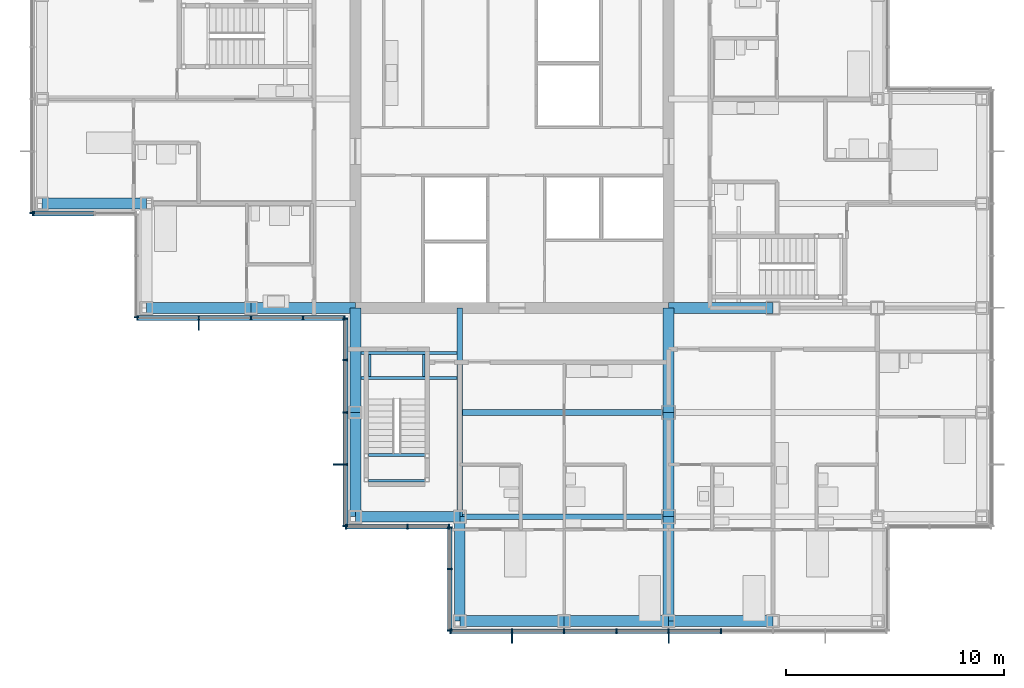
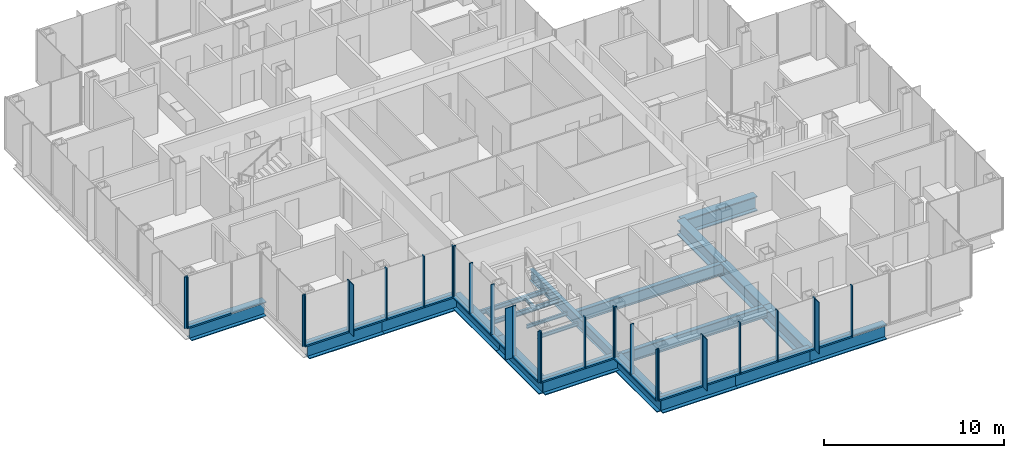
# One storey, part 6 of 20: 47 members, 23 beams, 8 elements without a shape of their own.
"""IFC4 building model written with IfcOpenShell, lengths in metres."""

from ifc_helpers import new_model, si_unit, direction, frame, origin, origin_2d, place, context, subcontext, project, spatial, rectangle, i_section, extrude, material, material_profile, profile_set, type_object, element, aggregate, save


model = new_model("IFC4")

# Units and contexts
model_context = context("Model", 3, precision=1e-05, world=origin(), true_north=direction((0.0, 1.0)))
body_context = subcontext(model_context, "Body", "Model", "MODEL_VIEW")
ifc_project = project(units=[si_unit("LENGTHUNIT", "METRE"), si_unit("AREAUNIT", "SQUARE_METRE"), si_unit("VOLUMEUNIT", "CUBIC_METRE"), si_unit("PLANEANGLEUNIT", "RADIAN"), si_unit("MASSUNIT", "GRAM", prefix="KILO")], contexts=[model_context])

# Site, building, storey
site_placement = place(None, origin())
site = spatial("IfcSite", under=ifc_project, at=site_placement, CompositionType="ELEMENT")
building_placement = place(site_placement, origin())
building = spatial("IfcBuilding", under=site, at=building_placement, Name="Kvirike Care Tower", CompositionType="ELEMENT")
storey_placement = place(building_placement, frame((0.0, 0.0, 122.5)))
storey = spatial("IfcBuildingStorey", under=building, at=storey_placement, Name="L33", CompositionType="ELEMENT", Elevation=122.5)

# Curtain wall, member
ifc_material_1 = material(Name="Anodised aluminium stick system", Category="aluminium")
curtain_wall_type = type_object("IfcCurtainWallType", Name="CW-B STICK CURTAIN WALL", PredefinedType="NOTDEFINED", material=ifc_material_1)
curtain_wall_1_placement = place(storey_placement, origin())
curtain_wall_1 = element("IfcCurtainWall", 1, at=curtain_wall_1_placement, inside=storey, type_object=curtain_wall_type, Name="Curtain wall L33 face 14", PredefinedType="NOTDEFINED")
ifc_material_2 = material(Name="Bronze anodised aluminium fin", Category="aluminium")
ifc_material_profile_1 = material_profile(ifc_material_2, rectangle(XDim=0.050048828125, YDim=0.449951171875, at=origin_2d()), Name="BRONZE FIN 450")
ifc_profile_set_1 = profile_set([ifc_material_profile_1], Name="Bronze anodised aluminium fin")
member_type_1 = type_object("IfcMemberType", Name="BRONZE FIN 450", PredefinedType="USERDEFINED", material=ifc_profile_set_1)
member_1_placement = place(storey_placement, frame((7.199951171875, 28.0048828125, 0.0), z_axis=(0.0, 0.0, 1.0), x_axis=(1.0, 0.0, 0.0)))
member_1 = element("IfcMember", 2, at=member_1_placement, type_object=member_type_1, Name="Bronze fin L33 face 14.2", ObjectType="FIN", PredefinedType="USERDEFINED", context=body_context, shape_type="SweptSolid", body=[
    extrude(rectangle(XDim=0.050048828125, YDim=0.449951171875, at=origin_2d()), origin(), (0.0, 0.0, 1.0), 3.5),
])

curtain_wall_2_placement = place(storey_placement, origin())
curtain_wall_2 = element("IfcCurtainWall", 3, at=curtain_wall_2_placement, inside=storey, type_object=curtain_wall_type, Name="Curtain wall L33 face 15", PredefinedType="NOTDEFINED")
member_2_placement = place(storey_placement, frame((13.60498046875, 21.60009765625, 0.0), z_axis=(0.0, 0.0, 1.0), x_axis=(0.0, -1.0, 0.0)))
member_2 = element("IfcMember", 4, at=member_2_placement, type_object=member_type_1, Name="Bronze fin L33 face 15.4", ObjectType="FIN", PredefinedType="USERDEFINED", context=body_context, shape_type="SweptSolid", body=[
    extrude(rectangle(XDim=0.050048828125, YDim=0.449951171875, at=origin_2d()), origin(), (0.0, 0.0, 1.0), 3.5),
])

# Curtain wall, members
curtain_wall_3_placement = place(storey_placement, origin())
curtain_wall_3 = element("IfcCurtainWall", 5, at=curtain_wall_3_placement, inside=storey, type_object=curtain_wall_type, Name="Curtain wall L33 face 18", PredefinedType="NOTDEFINED")
member_3_placement = place(storey_placement, frame((21.60009765625, 13.60498046875, 0.0), z_axis=(0.0, 0.0, 1.0), x_axis=(1.0, 0.0, 0.0)))
member_3 = element("IfcMember", 6, at=member_3_placement, type_object=member_type_1, Name="Bronze fin L33 face 18.2", ObjectType="FIN", PredefinedType="USERDEFINED", context=body_context, shape_type="SweptSolid", body=[
    extrude(rectangle(XDim=0.050048828125, YDim=0.449951171875, at=origin_2d()), origin(), (0.0, 0.0, 1.0), 3.5),
])
member_4_placement = place(storey_placement, frame((28.800048828125, 13.60498046875, 0.0), z_axis=(0.0, 0.0, 1.0), x_axis=(1.0, 0.0, 0.0)))
member_4 = element("IfcMember", 7, at=member_4_placement, type_object=member_type_1, Name="Bronze fin L33 face 18.5", ObjectType="FIN", PredefinedType="USERDEFINED", context=body_context, shape_type="SweptSolid", body=[
    extrude(rectangle(XDim=0.050048828125, YDim=0.449951171875, at=origin_2d()), origin(), (0.0, 0.0, 1.0), 3.5),
])

# Curtain wall, member
curtain_wall_4_placement = place(storey_placement, origin())
curtain_wall_4 = element("IfcCurtainWall", 8, at=curtain_wall_4_placement, inside=storey, type_object=curtain_wall_type, Name="Curtain wall L33 face 11", PredefinedType="NOTDEFINED")
ifc_material_3 = material(Name="Bronze anodised aluminium mullion", Category="aluminium")
ifc_material_profile_2 = material_profile(ifc_material_3, rectangle(XDim=0.06494140625, YDim=0.219970703125, at=origin_2d()), Name="CW-B MULLION 65x220")
ifc_profile_set_2 = profile_set([ifc_material_profile_2], Name="Bronze anodised aluminium mullion")
member_type_2 = type_object("IfcMemberType", Name="CW-B MULLION 65x220", PredefinedType="MULLION", material=ifc_profile_set_2)
member_5_placement = place(storey_placement, frame((-0.4599609375, 33.172607421875, 0.0), z_axis=(0.0, 0.0, 1.0), x_axis=(0.0, -1.0, 0.0)))
member_5 = element("IfcMember", 9, at=member_5_placement, type_object=member_type_2, Name="CW-B mullion L33 face 11.9", PredefinedType="MULLION", context=body_context, shape_type="SweptSolid", body=[
    extrude(rectangle(XDim=0.06494140625, YDim=0.219970703125, at=origin_2d()), origin(), (0.0, 0.0, 1.0), 3.5),
])
aggregate(curtain_wall_4, [member_5])

curtain_wall_5_placement = place(storey_placement, origin())
curtain_wall_5 = element("IfcCurtainWall", 10, at=curtain_wall_5_placement, inside=storey, type_object=curtain_wall_type, Name="Curtain wall L33 face 12", PredefinedType="NOTDEFINED")
member_6_placement = place(storey_placement, frame((-0.427490234375, 33.139892578125, 0.0), z_axis=(0.0, 0.0, 1.0), x_axis=(1.0, 0.0, 0.0)))
member_6 = element("IfcMember", 11, at=member_6_placement, type_object=member_type_2, Name="CW-B mullion L33 face 12.1", PredefinedType="MULLION", context=body_context, shape_type="SweptSolid", body=[
    extrude(rectangle(XDim=0.06494140625, YDim=0.219970703125, at=origin_2d()), origin(), (0.0, 0.0, 1.0), 3.5),
])

curtain_wall_6_placement = place(storey_placement, origin())
curtain_wall_6 = element("IfcCurtainWall", 12, at=curtain_wall_6_placement, inside=storey, type_object=curtain_wall_type, Name="Curtain wall L33 face 13", PredefinedType="NOTDEFINED")
member_7_placement = place(storey_placement, frame((4.340087890625, 28.37255859375, 0.0), z_axis=(0.0, 0.0, 1.0), x_axis=(0.0, -1.0, 0.0)))
member_7 = element("IfcMember", 13, at=member_7_placement, type_object=member_type_2, Name="CW-B mullion L33 face 13.3", PredefinedType="MULLION", context=body_context, shape_type="SweptSolid", body=[
    extrude(rectangle(XDim=0.06494140625, YDim=0.219970703125, at=origin_2d()), origin(), (0.0, 0.0, 1.0), 3.5),
])
aggregate(curtain_wall_6, [member_7])

# Member
member_8_placement = place(storey_placement, frame((4.37255859375, 28.340087890625, 0.0), z_axis=(0.0, 0.0, 1.0), x_axis=(1.0, 0.0, 0.0)))
member_8 = element("IfcMember", 14, at=member_8_placement, type_object=member_type_2, Name="CW-B mullion L33 face 14.1", PredefinedType="MULLION", context=body_context, shape_type="SweptSolid", body=[
    extrude(rectangle(XDim=0.06494140625, YDim=0.219970703125, at=origin_2d()), origin(), (0.0, 0.0, 1.0), 3.5),
])

member_9_placement = place(storey_placement, frame((7.199951171875, 28.340087890625, 0.0), z_axis=(0.0, 0.0, 1.0), x_axis=(1.0, 0.0, 0.0)))
member_9 = element("IfcMember", 15, at=member_9_placement, type_object=member_type_2, Name="CW-B mullion L33 face 14.2", PredefinedType="MULLION", context=body_context, shape_type="SweptSolid", body=[
    extrude(rectangle(XDim=0.06494140625, YDim=0.219970703125, at=origin_2d()), origin(), (0.0, 0.0, 1.0), 3.5),
])

member_10_placement = place(storey_placement, frame((9.60009765625, 28.340087890625, 0.0), z_axis=(0.0, 0.0, 1.0), x_axis=(1.0, 0.0, 0.0)))
member_10 = element("IfcMember", 16, at=member_10_placement, type_object=member_type_2, Name="CW-B mullion L33 face 14.3", PredefinedType="MULLION", context=body_context, shape_type="SweptSolid", body=[
    extrude(rectangle(XDim=0.06494140625, YDim=0.219970703125, at=origin_2d()), origin(), (0.0, 0.0, 1.0), 3.5),
])

member_11_placement = place(storey_placement, frame((12.0, 28.340087890625, 0.0), z_axis=(0.0, 0.0, 1.0), x_axis=(1.0, 0.0, 0.0)))
member_11 = element("IfcMember", 17, at=member_11_placement, type_object=member_type_2, Name="CW-B mullion L33 face 14.4", PredefinedType="MULLION", context=body_context, shape_type="SweptSolid", body=[
    extrude(rectangle(XDim=0.06494140625, YDim=0.219970703125, at=origin_2d()), origin(), (0.0, 0.0, 1.0), 3.5),
])

member_12_placement = place(storey_placement, frame((13.907470703125, 28.340087890625, 0.0), z_axis=(0.0, 0.0, 1.0), x_axis=(1.0, 0.0, 0.0)))
member_12 = element("IfcMember", 18, at=member_12_placement, type_object=member_type_2, Name="CW-B mullion L33 face 14.5", PredefinedType="MULLION", context=body_context, shape_type="SweptSolid", body=[
    extrude(rectangle(XDim=0.06494140625, YDim=0.219970703125, at=origin_2d()), origin(), (0.0, 0.0, 1.0), 3.5),
])

member_13_placement = place(storey_placement, frame((13.93994140625, 28.3076171875, 0.0), z_axis=(0.0, 0.0, 1.0), x_axis=(0.0, -1.0, 0.0)))
member_13 = element("IfcMember", 19, at=member_13_placement, type_object=member_type_2, Name="CW-B mullion L33 face 15.1", PredefinedType="MULLION", context=body_context, shape_type="SweptSolid", body=[
    extrude(rectangle(XDim=0.06494140625, YDim=0.219970703125, at=origin_2d()), origin(), (0.0, 0.0, 1.0), 3.5),
])

member_14_placement = place(storey_placement, frame((13.93994140625, 26.39990234375, 0.0), z_axis=(0.0, 0.0, 1.0), x_axis=(0.0, -1.0, 0.0)))
member_14 = element("IfcMember", 20, at=member_14_placement, type_object=member_type_2, Name="CW-B mullion L33 face 15.2", PredefinedType="MULLION", context=body_context, shape_type="SweptSolid", body=[
    extrude(rectangle(XDim=0.06494140625, YDim=0.219970703125, at=origin_2d()), origin(), (0.0, 0.0, 1.0), 3.5),
])

member_15_placement = place(storey_placement, frame((13.93994140625, 24.0, 0.0), z_axis=(0.0, 0.0, 1.0), x_axis=(0.0, -1.0, 0.0)))
member_15 = element("IfcMember", 21, at=member_15_placement, type_object=member_type_2, Name="CW-B mullion L33 face 15.3", PredefinedType="MULLION", context=body_context, shape_type="SweptSolid", body=[
    extrude(rectangle(XDim=0.06494140625, YDim=0.219970703125, at=origin_2d()), origin(), (0.0, 0.0, 1.0), 3.5),
])

member_16_placement = place(storey_placement, frame((13.93994140625, 21.60009765625, 0.0), z_axis=(0.0, 0.0, 1.0), x_axis=(0.0, -1.0, 0.0)))
member_16 = element("IfcMember", 22, at=member_16_placement, type_object=member_type_2, Name="CW-B mullion L33 face 15.4", PredefinedType="MULLION", context=body_context, shape_type="SweptSolid", body=[
    extrude(rectangle(XDim=0.06494140625, YDim=0.219970703125, at=origin_2d()), origin(), (0.0, 0.0, 1.0), 3.5),
])

member_17_placement = place(storey_placement, frame((13.93994140625, 18.7724609375, 0.0), z_axis=(0.0, 0.0, 1.0), x_axis=(0.0, -1.0, 0.0)))
member_17 = element("IfcMember", 23, at=member_17_placement, type_object=member_type_2, Name="CW-B mullion L33 face 15.5", PredefinedType="MULLION", context=body_context, shape_type="SweptSolid", body=[
    extrude(rectangle(XDim=0.06494140625, YDim=0.219970703125, at=origin_2d()), origin(), (0.0, 0.0, 1.0), 3.5),
])

# Curtain wall, members
curtain_wall_7_placement = place(storey_placement, origin())
curtain_wall_7 = element("IfcCurtainWall", 24, at=curtain_wall_7_placement, inside=storey, type_object=curtain_wall_type, Name="Curtain wall L33 face 16", PredefinedType="NOTDEFINED")
member_18_placement = place(storey_placement, frame((13.972412109375, 18.739990234375, 0.0), z_axis=(0.0, 0.0, 1.0), x_axis=(1.0, 0.0, 0.0)))
member_18 = element("IfcMember", 25, at=member_18_placement, type_object=member_type_2, Name="CW-B mullion L33 face 16.1", PredefinedType="MULLION", context=body_context, shape_type="SweptSolid", body=[
    extrude(rectangle(XDim=0.06494140625, YDim=0.219970703125, at=origin_2d()), origin(), (0.0, 0.0, 1.0), 3.5),
])
member_19_placement = place(storey_placement, frame((16.800048828125, 18.739990234375, 0.0), z_axis=(0.0, 0.0, 1.0), x_axis=(1.0, 0.0, 0.0)))
member_19 = element("IfcMember", 26, at=member_19_placement, type_object=member_type_2, Name="CW-B mullion L33 face 16.2", PredefinedType="MULLION", context=body_context, shape_type="SweptSolid", body=[
    extrude(rectangle(XDim=0.06494140625, YDim=0.219970703125, at=origin_2d()), origin(), (0.0, 0.0, 1.0), 3.5),
])
member_20_placement = place(storey_placement, frame((18.70751953125, 18.739990234375, 0.0), z_axis=(0.0, 0.0, 1.0), x_axis=(1.0, 0.0, 0.0)))
member_20 = element("IfcMember", 27, at=member_20_placement, type_object=member_type_2, Name="CW-B mullion L33 face 16.3", PredefinedType="MULLION", context=body_context, shape_type="SweptSolid", body=[
    extrude(rectangle(XDim=0.06494140625, YDim=0.219970703125, at=origin_2d()), origin(), (0.0, 0.0, 1.0), 3.5),
])

curtain_wall_8_placement = place(storey_placement, origin())
curtain_wall_8 = element("IfcCurtainWall", 28, at=curtain_wall_8_placement, inside=storey, type_object=curtain_wall_type, Name="Curtain wall L33 face 17", PredefinedType="NOTDEFINED")
member_21_placement = place(storey_placement, frame((18.739990234375, 18.70751953125, 0.0), z_axis=(0.0, 0.0, 1.0), x_axis=(0.0, -1.0, 0.0)))
member_21 = element("IfcMember", 29, at=member_21_placement, type_object=member_type_2, Name="CW-B mullion L33 face 17.1", PredefinedType="MULLION", context=body_context, shape_type="SweptSolid", body=[
    extrude(rectangle(XDim=0.06494140625, YDim=0.219970703125, at=origin_2d()), origin(), (0.0, 0.0, 1.0), 3.5),
])
member_22_placement = place(storey_placement, frame((18.739990234375, 16.800048828125, 0.0), z_axis=(0.0, 0.0, 1.0), x_axis=(0.0, -1.0, 0.0)))
member_22 = element("IfcMember", 30, at=member_22_placement, type_object=member_type_2, Name="CW-B mullion L33 face 17.2", PredefinedType="MULLION", context=body_context, shape_type="SweptSolid", body=[
    extrude(rectangle(XDim=0.06494140625, YDim=0.219970703125, at=origin_2d()), origin(), (0.0, 0.0, 1.0), 3.5),
])
member_23_placement = place(storey_placement, frame((18.739990234375, 13.972412109375, 0.0), z_axis=(0.0, 0.0, 1.0), x_axis=(0.0, -1.0, 0.0)))
member_23 = element("IfcMember", 31, at=member_23_placement, type_object=member_type_2, Name="CW-B mullion L33 face 17.3", PredefinedType="MULLION", context=body_context, shape_type="SweptSolid", body=[
    extrude(rectangle(XDim=0.06494140625, YDim=0.219970703125, at=origin_2d()), origin(), (0.0, 0.0, 1.0), 3.5),
])

# Member
member_24_placement = place(storey_placement, frame((18.7724609375, 13.93994140625, 0.0), z_axis=(0.0, 0.0, 1.0), x_axis=(1.0, 0.0, 0.0)))
member_24 = element("IfcMember", 32, at=member_24_placement, type_object=member_type_2, Name="CW-B mullion L33 face 18.1", PredefinedType="MULLION", context=body_context, shape_type="SweptSolid", body=[
    extrude(rectangle(XDim=0.06494140625, YDim=0.219970703125, at=origin_2d()), origin(), (0.0, 0.0, 1.0), 3.5),
])

member_25_placement = place(storey_placement, frame((21.60009765625, 13.93994140625, 0.0), z_axis=(0.0, 0.0, 1.0), x_axis=(1.0, 0.0, 0.0)))
member_25 = element("IfcMember", 33, at=member_25_placement, type_object=member_type_2, Name="CW-B mullion L33 face 18.2", PredefinedType="MULLION", context=body_context, shape_type="SweptSolid", body=[
    extrude(rectangle(XDim=0.06494140625, YDim=0.219970703125, at=origin_2d()), origin(), (0.0, 0.0, 1.0), 3.5),
])

member_26_placement = place(storey_placement, frame((24.0, 13.93994140625, 0.0), z_axis=(0.0, 0.0, 1.0), x_axis=(1.0, 0.0, 0.0)))
member_26 = element("IfcMember", 34, at=member_26_placement, type_object=member_type_2, Name="CW-B mullion L33 face 18.3", PredefinedType="MULLION", context=body_context, shape_type="SweptSolid", body=[
    extrude(rectangle(XDim=0.06494140625, YDim=0.219970703125, at=origin_2d()), origin(), (0.0, 0.0, 1.0), 3.5),
])

member_27_placement = place(storey_placement, frame((26.39990234375, 13.93994140625, 0.0), z_axis=(0.0, 0.0, 1.0), x_axis=(1.0, 0.0, 0.0)))
member_27 = element("IfcMember", 35, at=member_27_placement, type_object=member_type_2, Name="CW-B mullion L33 face 18.4", PredefinedType="MULLION", context=body_context, shape_type="SweptSolid", body=[
    extrude(rectangle(XDim=0.06494140625, YDim=0.219970703125, at=origin_2d()), origin(), (0.0, 0.0, 1.0), 3.5),
])

member_28_placement = place(storey_placement, frame((28.800048828125, 13.93994140625, 0.0), z_axis=(0.0, 0.0, 1.0), x_axis=(1.0, 0.0, 0.0)))
member_28 = element("IfcMember", 36, at=member_28_placement, type_object=member_type_2, Name="CW-B mullion L33 face 18.5", PredefinedType="MULLION", context=body_context, shape_type="SweptSolid", body=[
    extrude(rectangle(XDim=0.06494140625, YDim=0.219970703125, at=origin_2d()), origin(), (0.0, 0.0, 1.0), 3.5),
])

member_29_placement = place(storey_placement, frame((31.199951171875, 13.93994140625, 0.0), z_axis=(0.0, 0.0, 1.0), x_axis=(1.0, 0.0, 0.0)))
member_29 = element("IfcMember", 37, at=member_29_placement, type_object=member_type_2, Name="CW-B mullion L33 face 18.6", PredefinedType="MULLION", context=body_context, shape_type="SweptSolid", body=[
    extrude(rectangle(XDim=0.06494140625, YDim=0.219970703125, at=origin_2d()), origin(), (0.0, 0.0, 1.0), 3.5),
])

ifc_material_4 = material(Name="Bronze anodised aluminium transom", Category="aluminium")
ifc_material_profile_3 = material_profile(ifc_material_4, rectangle(XDim=0.219970703125, YDim=0.10009765625, at=origin_2d()), Name="CW-B TRANSOM 220x100")
ifc_profile_set_3 = profile_set([ifc_material_profile_3], Name="Bronze anodised aluminium transom")
member_type_3 = type_object("IfcMemberType", Name="CW-B TRANSOM 220x100", PredefinedType="USERDEFINED", material=ifc_profile_set_3)
member_30_placement = place(storey_placement, frame((-0.39501953125, 33.139892578125, 0.050048828125), z_axis=(1.0, 0.0, 0.0), x_axis=(0.0, 1.0, 0.0)))
member_30 = element("IfcMember", 38, at=member_30_placement, type_object=member_type_3, Name="CW-B sill transom L33 face 12.1", ObjectType="TRANSOM", PredefinedType="USERDEFINED", context=body_context, shape_type="SweptSolid", body=[
    extrude(rectangle(XDim=0.219970703125, YDim=0.10009765625, at=origin_2d()), origin(), (0.0, 0.0, 1.0), 2.762451171875),
])

aggregate(curtain_wall_5, [member_6, member_30])

member_31_placement = place(storey_placement, frame((4.405029296875, 28.340087890625, 0.050048828125), z_axis=(1.0, 0.0, 0.0), x_axis=(0.0, 1.0, 0.0)))
member_31 = element("IfcMember", 39, at=member_31_placement, type_object=member_type_3, Name="CW-B sill transom L33 face 14.1", ObjectType="TRANSOM", PredefinedType="USERDEFINED", context=body_context, shape_type="SweptSolid", body=[
    extrude(rectangle(XDim=0.219970703125, YDim=0.10009765625, at=origin_2d()), origin(), (0.0, 0.0, 1.0), 2.762451171875),
])

member_32_placement = place(storey_placement, frame((7.232421875, 28.340087890625, 0.050048828125), z_axis=(1.0, 0.0, 0.0), x_axis=(0.0, 1.0, 0.0)))
member_32 = element("IfcMember", 40, at=member_32_placement, type_object=member_type_3, Name="CW-B sill transom L33 face 14.2", ObjectType="TRANSOM", PredefinedType="USERDEFINED", context=body_context, shape_type="SweptSolid", body=[
    extrude(rectangle(XDim=0.219970703125, YDim=0.10009765625, at=origin_2d()), origin(), (0.0, 0.0, 1.0), 2.3349609375),
])

member_33_placement = place(storey_placement, frame((9.632568359375, 28.340087890625, 0.050048828125), z_axis=(1.0, 0.0, 0.0), x_axis=(0.0, 1.0, 0.0)))
member_33 = element("IfcMember", 41, at=member_33_placement, type_object=member_type_3, Name="CW-B sill transom L33 face 14.3", ObjectType="TRANSOM", PredefinedType="USERDEFINED", context=body_context, shape_type="SweptSolid", body=[
    extrude(rectangle(XDim=0.219970703125, YDim=0.10009765625, at=origin_2d()), origin(), (0.0, 0.0, 1.0), 2.3349609375),
])

member_34_placement = place(storey_placement, frame((12.032470703125, 28.340087890625, 0.050048828125), z_axis=(1.0, 0.0, 0.0), x_axis=(0.0, 1.0, 0.0)))
member_34 = element("IfcMember", 42, at=member_34_placement, type_object=member_type_3, Name="CW-B sill transom L33 face 14.4", ObjectType="TRANSOM", PredefinedType="USERDEFINED", context=body_context, shape_type="SweptSolid", body=[
    extrude(rectangle(XDim=0.219970703125, YDim=0.10009765625, at=origin_2d()), origin(), (0.0, 0.0, 1.0), 1.842529296875),
])

aggregate(curtain_wall_1, [member_8, member_9, member_1, member_10, member_11, member_12, member_31, member_32, member_33, member_34])

member_35_placement = place(storey_placement, frame((13.93994140625, 28.27490234375, 0.050048828125), z_axis=(0.0, -1.0, 0.0), x_axis=(1.0, 0.0, 0.0)))
member_35 = element("IfcMember", 43, at=member_35_placement, type_object=member_type_3, Name="CW-B sill transom L33 face 15.1", ObjectType="TRANSOM", PredefinedType="USERDEFINED", context=body_context, shape_type="SweptSolid", body=[
    extrude(rectangle(XDim=0.219970703125, YDim=0.10009765625, at=origin_2d()), origin(), (0.0, 0.0, 1.0), 1.84228515625),
])

member_36_placement = place(storey_placement, frame((13.93994140625, 26.367431640625, 0.050048828125), z_axis=(0.0, -1.0, 0.0), x_axis=(1.0, 0.0, 0.0)))
member_36 = element("IfcMember", 44, at=member_36_placement, type_object=member_type_3, Name="CW-B sill transom L33 face 15.2", ObjectType="TRANSOM", PredefinedType="USERDEFINED", context=body_context, shape_type="SweptSolid", body=[
    extrude(rectangle(XDim=0.219970703125, YDim=0.10009765625, at=origin_2d()), origin(), (0.0, 0.0, 1.0), 2.3349609375),
])

member_37_placement = place(storey_placement, frame((13.93994140625, 23.967529296875, 0.050048828125), z_axis=(0.0, -1.0, 0.0), x_axis=(1.0, 0.0, 0.0)))
member_37 = element("IfcMember", 45, at=member_37_placement, type_object=member_type_3, Name="CW-B sill transom L33 face 15.3", ObjectType="TRANSOM", PredefinedType="USERDEFINED", context=body_context, shape_type="SweptSolid", body=[
    extrude(rectangle(XDim=0.219970703125, YDim=0.10009765625, at=origin_2d()), origin(), (0.0, 0.0, 1.0), 2.3349609375),
])

member_38_placement = place(storey_placement, frame((13.93994140625, 21.5673828125, 0.050048828125), z_axis=(0.0, -1.0, 0.0), x_axis=(1.0, 0.0, 0.0)))
member_38 = element("IfcMember", 46, at=member_38_placement, type_object=member_type_3, Name="CW-B sill transom L33 face 15.4", ObjectType="TRANSOM", PredefinedType="USERDEFINED", context=body_context, shape_type="SweptSolid", body=[
    extrude(rectangle(XDim=0.219970703125, YDim=0.10009765625, at=origin_2d()), origin(), (0.0, 0.0, 1.0), 2.762451171875),
])

aggregate(curtain_wall_2, [member_13, member_14, member_15, member_16, member_2, member_17, member_35, member_36, member_37, member_38])

member_39_placement = place(storey_placement, frame((14.0048828125, 18.739990234375, 0.050048828125), z_axis=(1.0, 0.0, 0.0), x_axis=(0.0, 1.0, 0.0)))
member_39 = element("IfcMember", 47, at=member_39_placement, type_object=member_type_3, Name="CW-B sill transom L33 face 16.1", ObjectType="TRANSOM", PredefinedType="USERDEFINED", context=body_context, shape_type="SweptSolid", body=[
    extrude(rectangle(XDim=0.219970703125, YDim=0.10009765625, at=origin_2d()), origin(), (0.0, 0.0, 1.0), 2.7626953125),
])

member_40_placement = place(storey_placement, frame((16.83251953125, 18.739990234375, 0.050048828125), z_axis=(1.0, 0.0, 0.0), x_axis=(0.0, 1.0, 0.0)))
member_40 = element("IfcMember", 48, at=member_40_placement, type_object=member_type_3, Name="CW-B sill transom L33 face 16.2", ObjectType="TRANSOM", PredefinedType="USERDEFINED", context=body_context, shape_type="SweptSolid", body=[
    extrude(rectangle(XDim=0.219970703125, YDim=0.10009765625, at=origin_2d()), origin(), (0.0, 0.0, 1.0), 1.842529296875),
])

aggregate(curtain_wall_7, [member_18, member_19, member_20, member_39, member_40])

member_41_placement = place(storey_placement, frame((18.739990234375, 18.675048828125, 0.050048828125), z_axis=(0.0, -1.0, 0.0), x_axis=(1.0, 0.0, 0.0)))
member_41 = element("IfcMember", 49, at=member_41_placement, type_object=member_type_3, Name="CW-B sill transom L33 face 17.1", ObjectType="TRANSOM", PredefinedType="USERDEFINED", context=body_context, shape_type="SweptSolid", body=[
    extrude(rectangle(XDim=0.219970703125, YDim=0.10009765625, at=origin_2d()), origin(), (0.0, 0.0, 1.0), 1.842529296875),
])

member_42_placement = place(storey_placement, frame((18.739990234375, 16.767578125, 0.050048828125), z_axis=(0.0, -1.0, 0.0), x_axis=(1.0, 0.0, 0.0)))
member_42 = element("IfcMember", 50, at=member_42_placement, type_object=member_type_3, Name="CW-B sill transom L33 face 17.2", ObjectType="TRANSOM", PredefinedType="USERDEFINED", context=body_context, shape_type="SweptSolid", body=[
    extrude(rectangle(XDim=0.219970703125, YDim=0.10009765625, at=origin_2d()), origin(), (0.0, 0.0, 1.0), 2.7626953125),
])

aggregate(curtain_wall_8, [member_21, member_22, member_23, member_41, member_42])

member_43_placement = place(storey_placement, frame((18.804931640625, 13.93994140625, 0.050048828125), z_axis=(1.0, 0.0, 0.0), x_axis=(0.0, 1.0, 0.0)))
member_43 = element("IfcMember", 51, at=member_43_placement, type_object=member_type_3, Name="CW-B sill transom L33 face 18.1", ObjectType="TRANSOM", PredefinedType="USERDEFINED", context=body_context, shape_type="SweptSolid", body=[
    extrude(rectangle(XDim=0.219970703125, YDim=0.10009765625, at=origin_2d()), origin(), (0.0, 0.0, 1.0), 2.762451171875),
])

member_44_placement = place(storey_placement, frame((21.632568359375, 13.93994140625, 0.050048828125), z_axis=(1.0, 0.0, 0.0), x_axis=(0.0, 1.0, 0.0)))
member_44 = element("IfcMember", 52, at=member_44_placement, type_object=member_type_3, Name="CW-B sill transom L33 face 18.2", ObjectType="TRANSOM", PredefinedType="USERDEFINED", context=body_context, shape_type="SweptSolid", body=[
    extrude(rectangle(XDim=0.219970703125, YDim=0.10009765625, at=origin_2d()), origin(), (0.0, 0.0, 1.0), 2.3349609375),
])

member_45_placement = place(storey_placement, frame((24.032470703125, 13.93994140625, 0.050048828125), z_axis=(1.0, 0.0, 0.0), x_axis=(0.0, 1.0, 0.0)))
member_45 = element("IfcMember", 53, at=member_45_placement, type_object=member_type_3, Name="CW-B sill transom L33 face 18.3", ObjectType="TRANSOM", PredefinedType="USERDEFINED", context=body_context, shape_type="SweptSolid", body=[
    extrude(rectangle(XDim=0.219970703125, YDim=0.10009765625, at=origin_2d()), origin(), (0.0, 0.0, 1.0), 2.3349609375),
])

member_46_placement = place(storey_placement, frame((26.4326171875, 13.93994140625, 0.050048828125), z_axis=(1.0, 0.0, 0.0), x_axis=(0.0, 1.0, 0.0)))
member_46 = element("IfcMember", 54, at=member_46_placement, type_object=member_type_3, Name="CW-B sill transom L33 face 18.4", ObjectType="TRANSOM", PredefinedType="USERDEFINED", context=body_context, shape_type="SweptSolid", body=[
    extrude(rectangle(XDim=0.219970703125, YDim=0.10009765625, at=origin_2d()), origin(), (0.0, 0.0, 1.0), 2.3349609375),
])

member_47_placement = place(storey_placement, frame((28.83251953125, 13.93994140625, 0.050048828125), z_axis=(1.0, 0.0, 0.0), x_axis=(0.0, 1.0, 0.0)))
member_47 = element("IfcMember", 55, at=member_47_placement, type_object=member_type_3, Name="CW-B sill transom L33 face 18.5", ObjectType="TRANSOM", PredefinedType="USERDEFINED", context=body_context, shape_type="SweptSolid", body=[
    extrude(rectangle(XDim=0.219970703125, YDim=0.10009765625, at=origin_2d()), origin(), (0.0, 0.0, 1.0), 2.3349609375),
])

aggregate(curtain_wall_3, [member_24, member_25, member_3, member_26, member_27, member_28, member_4, member_29, member_43, member_44, member_45, member_46, member_47])

# Beams
ifc_material_5 = material(Name="Steel S355", Category="steel")
ifc_material_profile_4 = material_profile(ifc_material_5, i_section(OverallWidth=0.26806640625, OverallDepth=0.77001953125, WebThickness=0.015625, FlangeThickness=0.025390625, FilletRadius=0.01708984375, at=origin_2d()), Name="IPE 750x196")
ifc_profile_set_4 = profile_set([ifc_material_profile_4], Name="Steel S355")
beam_type_1 = type_object("IfcBeamType", Name="FLOOR BEAM IPE 750x196", PredefinedType="BEAM", material=ifc_profile_set_4)
for number, where, z_axis, x_axis, name in (
    (56, (19.199951171875, 19.199951171875, -0.554931640625), (1.0, 0.0, 0.0), (0.0, 1.0, 0.0), "Floor Beam E7-E9 L33"),
    (57, (19.199951171875, 24.0, -0.554931640625), (1.0, 0.0, 0.0), (0.0, 1.0, 0.0), "Floor Beam F7-F9 L33"),
    (58, (19.199951171875, 19.199951171875, -0.554931640625), (0.0, 1.0, 0.0), (-1.0, 0.0, 0.0), "Floor Beam E7-G7 L33"),
):
    element("IfcBeam", number, at=place(storey_placement, frame(where, z_axis=z_axis, x_axis=x_axis)), inside=storey, type_object=beam_type_1, Name=name, PredefinedType="BEAM", context=body_context, shape_type="SweptSolid", body=[
        extrude(i_section(OverallWidth=0.26806640625, OverallDepth=0.77001953125, WebThickness=0.015625, FlangeThickness=0.025390625, FilletRadius=0.01708984375, at=origin_2d()), origin(), (0.0, 0.0, 1.0), 9.60009765625),
    ])
ifc_material_6 = material(Name="Steel S355", Category="steel")
ifc_material_profile_5 = material_profile(ifc_material_6, i_section(OverallWidth=0.5, OverallDepth=1.0, WebThickness=0.030029296875, FlangeThickness=0.06005859375, at=origin_2d()), Name="PG 1000x500x30x60")
ifc_profile_set_5 = profile_set([ifc_material_profile_5], Name="Steel S355")
beam_type_2 = type_object("IfcBeamType", Name="FRAME BEAM PG 1000x500x30x60", PredefinedType="BEAM", material=ifc_profile_set_5)
for number, where, z_axis, x_axis, name in (
    (59, (28.800048828125, 28.800048828125, -0.669921875), (1.0, 0.0, 0.0), (0.0, 1.0, 0.0), "Frame Beam G9-G10 L33"),
    (60, (28.800048828125, 14.39990234375, -0.669921875), (0.0, 1.0, 0.0), (-1.0, 0.0, 0.0), "Frame Beam D9-E9 L33"),
    (61, (28.800048828125, 19.199951171875, -0.669921875), (0.0, 1.0, 0.0), (-1.0, 0.0, 0.0), "Frame Beam E9-F9 L33"),
    (62, (28.800048828125, 24.0, -0.669921875), (0.0, 1.0, 0.0), (-1.0, 0.0, 0.0), "Frame Beam F9-G9 L33"),
):
    element("IfcBeam", number, at=place(storey_placement, frame(where, z_axis=z_axis, x_axis=x_axis)), inside=storey, type_object=beam_type_2, Name=name, PredefinedType="BEAM", context=body_context, shape_type="SweptSolid", body=[
        extrude(i_section(OverallWidth=0.5, OverallDepth=1.0, WebThickness=0.030029296875, FlangeThickness=0.06005859375, at=origin_2d()), origin(), (0.0, 0.0, 1.0), 4.800048828125),
    ])
ifc_material_7 = material(Name="Steel S355", Category="steel")
ifc_material_profile_6 = material_profile(ifc_material_7, i_section(OverallWidth=0.5, OverallDepth=1.0, WebThickness=0.030029296875, FlangeThickness=0.06005859375, at=origin_2d()), Name="PG 1000x500x30x60")
ifc_profile_set_6 = profile_set([ifc_material_profile_6], Name="Steel S355")
beam_type_3 = type_object("IfcBeamType", Name="SPANDREL PG 1000x500x30x60", PredefinedType="SPANDREL", material=ifc_profile_set_6)
for number, where, z_axis, x_axis, name in (
    (63, (19.199951171875, 14.39990234375, -0.669921875), (1.0, 0.0, 0.0), (0.0, 1.0, 0.0), "Spandrel D7-D8 L33"),
    (64, (24.0, 14.39990234375, -0.669921875), (1.0, 0.0, 0.0), (0.0, 1.0, 0.0), "Spandrel D8-D9 L33"),
    (65, (28.800048828125, 14.39990234375, -0.669921875), (1.0, 0.0, 0.0), (0.0, 1.0, 0.0), "Spandrel D9-D10 L33"),
    (66, (14.39990234375, 19.199951171875, -0.669921875), (1.0, 0.0, 0.0), (0.0, 1.0, 0.0), "Spandrel E6-E7 L33"),
    (67, (4.800048828125, 28.800048828125, -0.669921875), (1.0, 0.0, 0.0), (0.0, 1.0, 0.0), "Spandrel G4-G5 L33"),
):
    element("IfcBeam", number, at=place(storey_placement, frame(where, z_axis=z_axis, x_axis=x_axis)), inside=storey, type_object=beam_type_3, Name=name, PredefinedType="SPANDREL", context=body_context, shape_type="SweptSolid", body=[
        extrude(i_section(OverallWidth=0.5, OverallDepth=1.0, WebThickness=0.030029296875, FlangeThickness=0.06005859375, at=origin_2d()), origin(), (0.0, 0.0, 1.0), 4.800048828125),
    ])
beam_placement = place(storey_placement, frame((9.60009765625, 28.800048828125, -0.669921875), z_axis=(1.0, 0.0, 0.0), x_axis=(0.0, 1.0, 0.0)))
element("IfcBeam", 68, at=beam_placement, inside=storey, type_object=beam_type_3, Name="Spandrel G5-G6 L33", PredefinedType="SPANDREL", context=body_context, shape_type="SweptSolid", body=[
    extrude(i_section(OverallWidth=0.5, OverallDepth=1.0, WebThickness=0.030029296875, FlangeThickness=0.06005859375, at=origin_2d()), origin(), (0.0, 0.0, 1.0), 4.7998046875),
])
for number, where, z_axis, x_axis, name in (
    (69, (0.0, 33.60009765625, -0.669921875), (1.0, 0.0, 0.0), (0.0, 1.0, 0.0), "Spandrel H3-H4 L33"),
    (70, (14.39990234375, 19.199951171875, -0.669921875), (0.0, 1.0, 0.0), (-1.0, 0.0, 0.0), "Spandrel E6-F6 L33"),
    (71, (14.39990234375, 24.0, -0.669921875), (0.0, 1.0, 0.0), (-1.0, 0.0, 0.0), "Spandrel F6-G6 L33"),
    (72, (19.199951171875, 14.39990234375, -0.669921875), (0.0, 1.0, 0.0), (-1.0, 0.0, 0.0), "Spandrel D7-E7 L33"),
):
    element("IfcBeam", number, at=place(storey_placement, frame(where, z_axis=z_axis, x_axis=x_axis)), inside=storey, type_object=beam_type_3, Name=name, PredefinedType="SPANDREL", context=body_context, shape_type="SweptSolid", body=[
        extrude(i_section(OverallWidth=0.5, OverallDepth=1.0, WebThickness=0.030029296875, FlangeThickness=0.06005859375, at=origin_2d()), origin(), (0.0, 0.0, 1.0), 4.800048828125),
    ])
ifc_material_8 = material(Name="Steel S355", Category="steel")
ifc_material_profile_7 = material_profile(ifc_material_8, i_section(OverallWidth=0.1201171875, OverallDepth=0.239990234375, WebThickness=0.006103515625, FlangeThickness=0.009765625, FilletRadius=0.014892578125, at=origin_2d()), Name="IPE 240")
ifc_profile_set_7 = profile_set([ifc_material_profile_7], Name="Steel S355")
beam_type_4 = type_object("IfcBeamType", Name="STAIR LANDING BEAM IPE 240", PredefinedType="BEAM", material=ifc_profile_set_7)
for number, where, z_axis, x_axis, name in (
    (73, (15.0, 20.860107421875, 1.429931640625), (1.0, 0.0, 0.0), (0.0, 1.0, 0.0), "Stair 5 landing beam back L33"),
    (74, (15.0, 22.0400390625, 1.429931640625), (1.0, 0.0, 0.0), (0.0, 1.0, 0.0), "Stair 5 landing beam front L33"),
):
    element("IfcBeam", number, at=place(storey_placement, frame(where, z_axis=z_axis, x_axis=x_axis)), inside=storey, type_object=beam_type_4, Name=name, PredefinedType="BEAM", context=body_context, shape_type="SweptSolid", body=[
        extrude(i_section(OverallWidth=0.1201171875, OverallDepth=0.239990234375, WebThickness=0.006103515625, FlangeThickness=0.009765625, FilletRadius=0.014892578125, at=origin_2d()), origin(), (0.0, 0.0, 1.0), 2.60009765625),
    ])
for number, where, z_axis, x_axis, name in (
    (75, (15.06005859375, 25.64990234375, -0.320068359375), (0.0, 1.0, 0.0), (-1.0, 0.0, 0.0), "Stair 5 landing edge beam 1 L33"),
    (76, (17.5400390625, 25.64990234375, -0.320068359375), (0.0, 1.0, 0.0), (-1.0, 0.0, 0.0), "Stair 5 landing edge beam 2 L33"),
):
    element("IfcBeam", number, at=place(storey_placement, frame(where, z_axis=z_axis, x_axis=x_axis)), inside=storey, type_object=beam_type_4, Name=name, PredefinedType="BEAM", context=body_context, shape_type="SweptSolid", body=[
        extrude(i_section(OverallWidth=0.1201171875, OverallDepth=0.239990234375, WebThickness=0.006103515625, FlangeThickness=0.009765625, FilletRadius=0.014892578125, at=origin_2d()), origin(), (0.0, 0.0, 1.0), 1.0),
    ])
ifc_material_9 = material(Name="Steel S355", Category="steel")
ifc_material_profile_8 = material_profile(ifc_material_9, i_section(OverallWidth=0.14990234375, OverallDepth=0.300048828125, WebThickness=0.007080078125, FlangeThickness=0.0107421875, FilletRadius=0.014892578125, at=origin_2d()), Name="IPE 300")
ifc_profile_set_8 = profile_set([ifc_material_profile_8], Name="Steel S355")
beam_type_5 = type_object("IfcBeamType", Name="STAIR TRIMMER IPE 300", PredefinedType="BEAM", material=ifc_profile_set_8)
for number, where, z_axis, x_axis, name in (
    (77, (14.64990234375, 25.574951171875, -0.35009765625), (1.0, 0.0, 0.0), (0.0, 1.0, 0.0), "Stair 5 trimmer 1 L33"),
    (78, (14.64990234375, 26.72509765625, -0.35009765625), (1.0, 0.0, 0.0), (0.0, 1.0, 0.0), "Stair 5 trimmer 2 L33"),
):
    element("IfcBeam", number, at=place(storey_placement, frame(where, z_axis=z_axis, x_axis=x_axis)), inside=storey, type_object=beam_type_5, Name=name, PredefinedType="BEAM", context=body_context, shape_type="SweptSolid", body=[
        extrude(i_section(OverallWidth=0.14990234375, OverallDepth=0.300048828125, WebThickness=0.007080078125, FlangeThickness=0.0107421875, FilletRadius=0.014892578125, at=origin_2d()), origin(), (0.0, 0.0, 1.0), 4.416015625),
    ])

save(model, "model.ifc")
